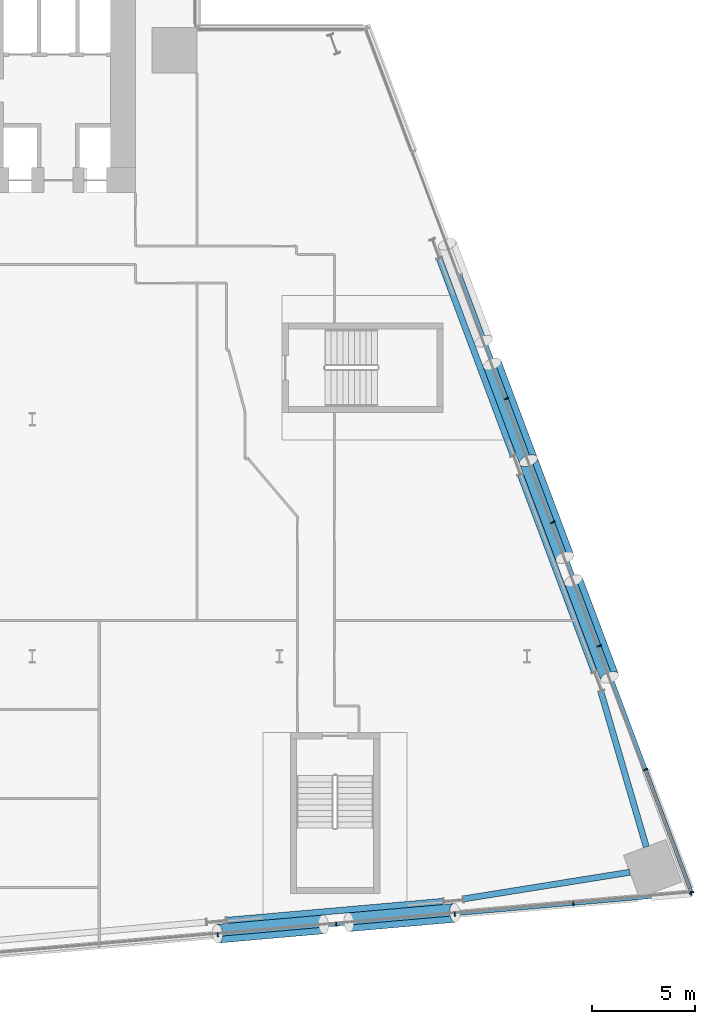
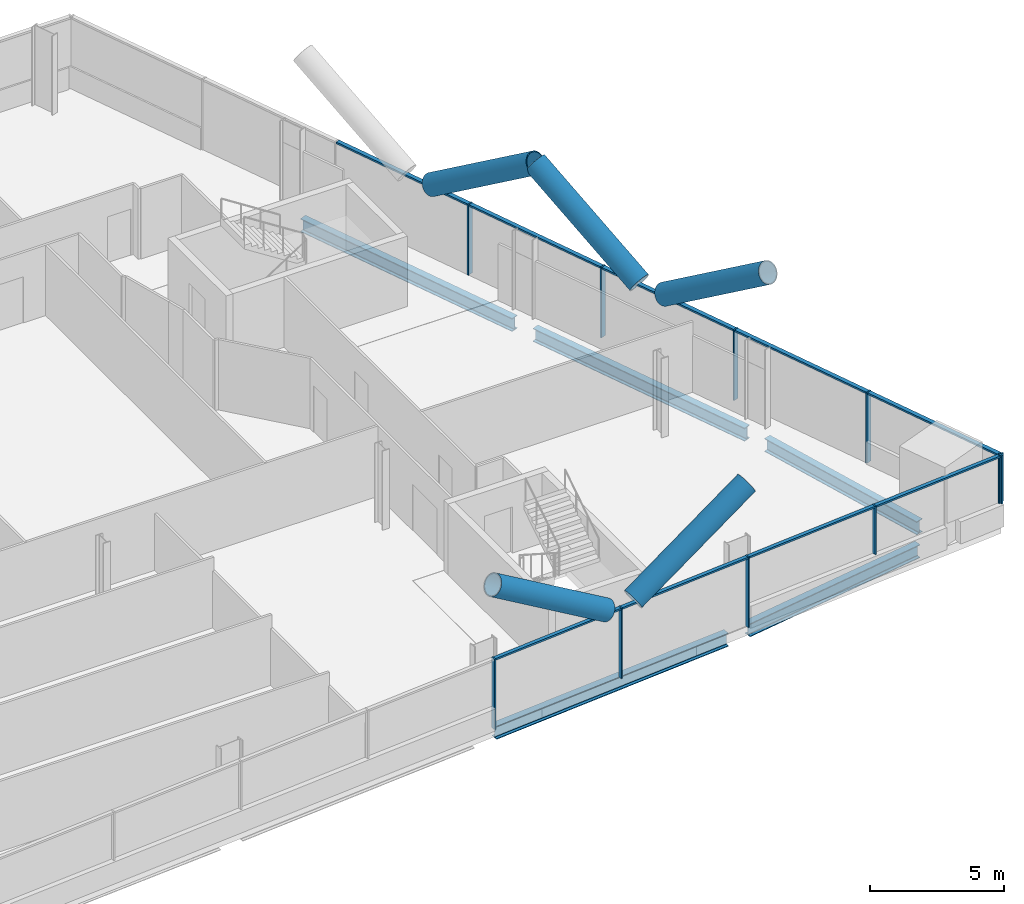
# One storey, part 9 of 27: 24 members, 5 beams, 2 elements without a shape of their own.
"""IFC4 building model written with IfcOpenShell, lengths in metres."""

from ifc_helpers import new_model, si_unit, direction, frame, origin, origin_2d, place, context, subcontext, project, spatial, rectangle, hollow_circle, i_section, extrude, material, material_profile, profile_set, type_object, element, aggregate, save


model = new_model("IFC4")

# Units and contexts
model_context = context("Model", 3, precision=1e-05, world=origin(), true_north=direction((0.0, 1.0)))
body_context = subcontext(model_context, "Body", "Model", "MODEL_VIEW")
ifc_project = project(units=[si_unit("LENGTHUNIT", "METRE"), si_unit("AREAUNIT", "SQUARE_METRE"), si_unit("VOLUMEUNIT", "CUBIC_METRE"), si_unit("PLANEANGLEUNIT", "RADIAN"), si_unit("MASSUNIT", "GRAM", prefix="KILO")], contexts=[model_context])

# Site, building, storey
site_placement = place(None, origin())
site = spatial("IfcSite", under=ifc_project, at=site_placement, CompositionType="ELEMENT")
building_placement = place(site_placement, origin())
building = spatial("IfcBuilding", under=site, at=building_placement, Name="Wharfspan Tower", CompositionType="ELEMENT")
storey_placement = place(building_placement, frame((0.0, 0.0, 77.5)))
storey = spatial("IfcBuildingStorey", under=building, at=storey_placement, Name="L16", CompositionType="ELEMENT", Elevation=77.5)

# Beams
ifc_material_1 = material(Name="Steel S355J2", Category="steel")
ifc_material_profile_1 = material_profile(ifc_material_1, i_section(OverallWidth=0.300049, OverallDepth=0.600098, WebThickness=0.015381, FlangeThickness=0.030029, FilletRadius=0.0271, at=origin_2d()))
ifc_profile_set_1 = profile_set([ifc_material_profile_1], Name="Steel S355J2")
beam_type = type_object("IfcBeamType", Name="Edge beam HEB 600", PredefinedType="SPANDREL", material=ifc_profile_set_1)
beam_1_placement = place(storey_placement, frame((69.440674, -1.311279, -0.699951), z_axis=(0.996193, 0.087178, 0.0), x_axis=(-0.087178, 0.996193, 0.0)))
element("IfcBeam", 1, at=beam_1_placement, inside=storey, type_object=beam_type, Name="Edge beam S2 L16 PS2.2 to PS2.3", PredefinedType="SPANDREL", context=body_context, shape_type="SweptSolid", body=[
    extrude(i_section(OverallWidth=0.300049, OverallDepth=0.600098, WebThickness=0.015381, FlangeThickness=0.030029, FilletRadius=0.0271, at=origin_2d()), origin(), (0.0, 0.0, 1.0), 10.543701),
])
beam_2_placement = place(storey_placement, frame((80.9375, -0.269287, -0.699951), z_axis=(0.987379, 0.158378, 0.0), x_axis=(-0.158378, 0.987379, 0.0)))
element("IfcBeam", 2, at=beam_2_placement, inside=storey, type_object=beam_type, Name="Edge beam S2 L16 PS2.3 to MC4", PredefinedType="SPANDREL", context=body_context, shape_type="SweptSolid", body=[
    extrude(i_section(OverallWidth=0.300049, OverallDepth=0.600098, WebThickness=0.015381, FlangeThickness=0.030029, FilletRadius=0.0271, at=origin_2d()), origin(), (0.0, 0.0, 1.0), 8.157715),
])
beam_3_placement = place(storey_placement, frame((89.788086, 2.254639, -0.699951), z_axis=(-0.280694, 0.959797, 0.0), x_axis=(-0.959797, -0.280694, 0.0)))
element("IfcBeam", 3, at=beam_3_placement, inside=storey, type_object=beam_type, Name="Edge beam E L16 MC4 to PE.1", PredefinedType="SPANDREL", context=body_context, shape_type="SweptSolid", body=[
    extrude(i_section(OverallWidth=0.300049, OverallDepth=0.600098, WebThickness=0.015381, FlangeThickness=0.030029, FilletRadius=0.0271, at=origin_2d()), origin(), (0.0, 0.0, 1.0), 7.8479),
])
for number, where, z_axis, x_axis, name in (
    (4, (87.269043, 10.736328, -0.699951), (-0.351126, 0.936328, 0.0), (-0.936328, -0.351126, 0.0), "Edge beam E L16 PE.1 to PE.2"),
    (5, (83.331543, 21.236328, -0.699951), (-0.351126, 0.936328, 0.0), (-0.936328, -0.351126, 0.0), "Edge beam E L16 PE.2 to PE.3"),
):
    element("IfcBeam", number, at=place(storey_placement, frame(where, z_axis=z_axis, x_axis=x_axis)), inside=storey, type_object=beam_type, Name=name, PredefinedType="SPANDREL", context=body_context, shape_type="SweptSolid", body=[
        extrude(i_section(OverallWidth=0.300049, OverallDepth=0.600098, WebThickness=0.015381, FlangeThickness=0.030029, FilletRadius=0.0271, at=origin_2d()), origin(), (0.0, 0.0, 1.0), 10.214111),
    ])

# Curtain wall, members
ifc_material_2 = material(Name="Aluminium 6063-T6", Category="aluminium")
curtain_wall_type_1 = type_object("IfcCurtainWallType", Name="CURTAIN WALL FACETED FRONT", PredefinedType="NOTDEFINED", material=ifc_material_2)
curtain_wall_1_placement = place(storey_placement, origin())
curtain_wall_1 = element("IfcCurtainWall", 6, at=curtain_wall_1_placement, inside=storey, type_object=curtain_wall_type_1, Name="Curtain wall S2", PredefinedType="NOTDEFINED")
ifc_material_profile_2 = material_profile(ifc_material_2, rectangle(XDim=0.199951, YDim=0.060059, at=origin_2d()))
ifc_profile_set_2 = profile_set([ifc_material_profile_2], Name="Aluminium 6063-T6")
member_type_1 = type_object("IfcMemberType", Name="MULLION FACETED FRONT 60x200", PredefinedType="MULLION", material=ifc_profile_set_2)
member_1_placement = place(storey_placement, frame((69.0, -2.012207, 0.0), z_axis=(0.0, 0.0, 1.0), x_axis=(-0.087156, 0.996197, 0.0)))
member_1 = element("IfcMember", 7, at=member_1_placement, type_object=member_type_1, Name="Curtain wall S2 mullion 5", PredefinedType="MULLION", context=body_context, shape_type="SweptSolid", body=[
    extrude(rectangle(XDim=0.199951, YDim=0.060059, at=origin_2d()), origin(), (0.0, 0.0, 1.0), 3.199951),
])
member_2_placement = place(storey_placement, frame((74.75, -1.509277, 0.0), z_axis=(0.0, 0.0, 1.0), x_axis=(-0.087156, 0.996197, 0.0)))
member_2 = element("IfcMember", 8, at=member_2_placement, type_object=member_type_1, Name="Curtain wall S2 mullion 6", PredefinedType="MULLION", context=body_context, shape_type="SweptSolid", body=[
    extrude(rectangle(XDim=0.199951, YDim=0.060059, at=origin_2d()), origin(), (0.0, 0.0, 1.0), 3.199951),
])
member_3_placement = place(storey_placement, frame((80.5, -1.006104, 0.0), z_axis=(0.0, 0.0, 1.0), x_axis=(-0.087156, 0.996197, 0.0)))
member_3 = element("IfcMember", 9, at=member_3_placement, type_object=member_type_1, Name="Curtain wall S2 mullion 7", PredefinedType="MULLION", context=body_context, shape_type="SweptSolid", body=[
    extrude(rectangle(XDim=0.199951, YDim=0.060059, at=origin_2d()), origin(), (0.0, 0.0, 1.0), 3.199951),
])
member_4_placement = place(storey_placement, frame((86.25, -0.503174, 1.0), z_axis=(0.0, 0.0, 1.0), x_axis=(-0.087156, 0.996197, 0.0)))
member_4 = element("IfcMember", 10, at=member_4_placement, type_object=member_type_1, Name="Curtain wall S2 mullion 8", PredefinedType="MULLION", context=body_context, shape_type="SweptSolid", body=[
    extrude(rectangle(XDim=0.199951, YDim=0.060059, at=origin_2d()), origin(), (0.0, 0.0, 1.0), 2.199951),
])
member_5_placement = place(storey_placement, frame((91.970215, -0.002686, 1.0), z_axis=(0.0, 0.0, 1.0), x_axis=(-0.087156, 0.996197, 0.0)))
member_5 = element("IfcMember", 11, at=member_5_placement, type_object=member_type_1, Name="Curtain wall S2 mullion 9", PredefinedType="MULLION", context=body_context, shape_type="SweptSolid", body=[
    extrude(rectangle(XDim=0.199951, YDim=0.060059, at=origin_2d()), origin(), (0.0, 0.0, 1.0), 2.199951),
])

curtain_wall_type_2 = type_object("IfcCurtainWallType", Name="CURTAIN WALL PROW AND END", PredefinedType="NOTDEFINED", material=ifc_material_2)
curtain_wall_2_placement = place(storey_placement, origin())
curtain_wall_2 = element("IfcCurtainWall", 12, at=curtain_wall_2_placement, inside=storey, type_object=curtain_wall_type_2, Name="Curtain wall E", PredefinedType="NOTDEFINED")
ifc_material_profile_3 = material_profile(ifc_material_2, rectangle(XDim=0.23999, YDim=0.060059, at=origin_2d()))
ifc_profile_set_3 = profile_set([ifc_material_profile_3], Name="Aluminium 6063-T6")
member_type_2 = type_object("IfcMemberType", Name="MULLION PROW AND END 60x240", PredefinedType="MULLION", material=ifc_profile_set_3)
member_6_placement = place(storey_placement, frame((91.989502, 0.028076, 1.0), z_axis=(0.0, 0.0, 1.0), x_axis=(-0.936328, -0.351123, 0.0)))
member_6 = element("IfcMember", 13, at=member_6_placement, type_object=member_type_2, Name="Curtain wall E mullion 1", PredefinedType="MULLION", context=body_context, shape_type="SweptSolid", body=[
    extrude(rectangle(XDim=0.23999, YDim=0.060059, at=origin_2d()), origin(), (0.0, 0.0, 1.0), 2.199951),
])
member_7_placement = place(storey_placement, frame((89.75, 6.0, 0.0), z_axis=(0.0, 0.0, 1.0), x_axis=(-0.936328, -0.351123, 0.0)))
member_7 = element("IfcMember", 14, at=member_7_placement, type_object=member_type_2, Name="Curtain wall E mullion 2", PredefinedType="MULLION", context=body_context, shape_type="SweptSolid", body=[
    extrude(rectangle(XDim=0.23999, YDim=0.060059, at=origin_2d()), origin(), (0.0, 0.0, 1.0), 3.199951),
])
member_8_placement = place(storey_placement, frame((87.5, 12.0, 0.0), z_axis=(0.0, 0.0, 1.0), x_axis=(-0.936328, -0.351123, 0.0)))
member_8 = element("IfcMember", 15, at=member_8_placement, type_object=member_type_2, Name="Curtain wall E mullion 3", PredefinedType="MULLION", context=body_context, shape_type="SweptSolid", body=[
    extrude(rectangle(XDim=0.23999, YDim=0.060059, at=origin_2d()), origin(), (0.0, 0.0, 1.0), 3.199951),
])
member_9_placement = place(storey_placement, frame((85.25, 18.0, 0.0), z_axis=(0.0, 0.0, 1.0), x_axis=(-0.936328, -0.351123, 0.0)))
member_9 = element("IfcMember", 16, at=member_9_placement, type_object=member_type_2, Name="Curtain wall E mullion 4", PredefinedType="MULLION", context=body_context, shape_type="SweptSolid", body=[
    extrude(rectangle(XDim=0.23999, YDim=0.060059, at=origin_2d()), origin(), (0.0, 0.0, 1.0), 3.199951),
])
member_10_placement = place(storey_placement, frame((83.0, 24.0, 0.0), z_axis=(0.0, 0.0, 1.0), x_axis=(-0.936328, -0.351123, 0.0)))
member_10 = element("IfcMember", 17, at=member_10_placement, type_object=member_type_2, Name="Curtain wall E mullion 5", PredefinedType="MULLION", context=body_context, shape_type="SweptSolid", body=[
    extrude(rectangle(XDim=0.23999, YDim=0.060059, at=origin_2d()), origin(), (0.0, 0.0, 1.0), 3.199951),
])

# Members
ifc_material_3 = material(Name="Steel S460NH", Category="steel")
ifc_material_profile_4 = material_profile(ifc_material_3, hollow_circle(Radius=0.457031, WallThickness=0.040039, at=origin_2d()))
ifc_profile_set_4 = profile_set([ifc_material_profile_4], Name="Steel S460NH")
member_type_3 = type_object("IfcMemberType", Name="Mega brace CHS 914x40", PredefinedType="BRACE", material=ifc_profile_set_4)
member_11_placement = place(storey_placement, frame((75.361328, -1.400391, 3.285645), z_axis=(0.845253, 0.073921, 0.529228), x_axis=(-0.08712, 0.996199, -3e-06)))
element("IfcMember", 18, at=member_11_placement, inside=storey, type_object=member_type_3, Name="Mega brace S2 L16 part 2", PredefinedType="BRACE", context=body_context, shape_type="SweptSolid", body=[
    extrude(hollow_circle(Radius=0.457031, WallThickness=0.040039, at=origin_2d()), origin(), (0.0, 0.0, 1.0), 6.07373),
])
member_12_placement = place(storey_placement, frame((74.12915, -1.508301, 3.285645), z_axis=(-0.845262, -0.073959, 0.529208), x_axis=(0.087167, -0.996192, 3e-06)))
element("IfcMember", 19, at=member_12_placement, inside=storey, type_object=member_type_3, Name="Mega brace S2 L16 part 4", PredefinedType="BRACE", context=body_context, shape_type="SweptSolid", body=[
    extrude(hollow_circle(Radius=0.457031, WallThickness=0.040039, at=origin_2d()), origin(), (0.0, 0.0, 1.0), 6.073975),
])
for number, where, z_axis, x_axis, name in (
    (20, (85.833008, 16.288574, 3.282471), (-0.295459, 0.787904, 0.540288), (-0.936328, -0.351115, -3e-06), "Mega brace E5 L16 part 2"),
    (21, (86.251465, 15.172852, 3.282471), (0.295459, -0.787904, 0.540288), (0.936328, 0.351115, -3e-06), "Mega brace E5 L16 part 4"),
    (22, (82.313965, 25.672852, 3.282471), (0.295459, -0.787904, 0.540288), (0.936328, 0.351115, -3e-06), "Mega brace E6 L16 part 4"),
):
    element("IfcMember", number, at=place(storey_placement, frame(where, z_axis=z_axis, x_axis=x_axis)), inside=storey, type_object=member_type_3, Name=name, PredefinedType="BRACE", context=body_context, shape_type="SweptSolid", body=[
        extrude(hollow_circle(Radius=0.457031, WallThickness=0.040039, at=origin_2d()), origin(), (0.0, 0.0, 1.0), 5.955322),
    ])

# Member
ifc_material_profile_5 = material_profile(ifc_material_2, rectangle(XDim=0.159912, YDim=0.080078, at=origin_2d()))
ifc_profile_set_5 = profile_set([ifc_material_profile_5], Name="Aluminium 6063-T6")
member_type_4 = type_object("IfcMemberType", Name="TRANSOM FACETED FRONT 80x160", PredefinedType="USERDEFINED", material=ifc_profile_set_5)
member_13_placement = place(storey_placement, frame((69.029785, -2.009521, 3.159912), z_axis=(0.996195, 0.087148, 0.0), x_axis=(-0.087148, 0.996195, 0.0)))
member_13 = element("IfcMember", 23, at=member_13_placement, type_object=member_type_4, Name="Curtain wall S2 transom 5", ObjectType="TRANSOM", PredefinedType="USERDEFINED", context=body_context, shape_type="SweptSolid", body=[
    extrude(rectangle(XDim=0.159912, YDim=0.080078, at=origin_2d()), origin(), (0.0, 0.0, 1.0), 5.712158),
])

member_14_placement = place(storey_placement, frame((74.779785, -1.506592, 3.159912), z_axis=(0.996195, 0.087148, 0.0), x_axis=(-0.087148, 0.996195, 0.0)))
member_14 = element("IfcMember", 24, at=member_14_placement, type_object=member_type_4, Name="Curtain wall S2 transom 6", ObjectType="TRANSOM", PredefinedType="USERDEFINED", context=body_context, shape_type="SweptSolid", body=[
    extrude(rectangle(XDim=0.159912, YDim=0.080078, at=origin_2d()), origin(), (0.0, 0.0, 1.0), 5.712158),
])

member_15_placement = place(storey_placement, frame((80.529785, -1.003418, 3.159912), z_axis=(0.996195, 0.087148, 0.0), x_axis=(-0.087148, 0.996195, 0.0)))
member_15 = element("IfcMember", 25, at=member_15_placement, type_object=member_type_4, Name="Curtain wall S2 transom 7", ObjectType="TRANSOM", PredefinedType="USERDEFINED", context=body_context, shape_type="SweptSolid", body=[
    extrude(rectangle(XDim=0.159912, YDim=0.080078, at=origin_2d()), origin(), (0.0, 0.0, 1.0), 5.712158),
])

member_16_placement = place(storey_placement, frame((86.279785, -0.500488, 3.159912), z_axis=(0.996193, 0.08718, 0.0), x_axis=(-0.08718, 0.996193, 0.0)))
member_16 = element("IfcMember", 26, at=member_16_placement, type_object=member_type_4, Name="Curtain wall S2 transom 8", ObjectType="TRANSOM", PredefinedType="USERDEFINED", context=body_context, shape_type="SweptSolid", body=[
    extrude(rectangle(XDim=0.159912, YDim=0.080078, at=origin_2d()), origin(), (0.0, 0.0, 1.0), 5.682129),
])

aggregate(curtain_wall_1, [member_1, member_2, member_3, member_4, member_5, member_13, member_14, member_15, member_16])

ifc_material_profile_6 = material_profile(ifc_material_2, rectangle(XDim=0.179932, YDim=0.080078, at=origin_2d()))
ifc_profile_set_6 = profile_set([ifc_material_profile_6], Name="Aluminium 6063-T6")
member_type_5 = type_object("IfcMemberType", Name="TRANSOM PROW AND END 80x180", PredefinedType="USERDEFINED", material=ifc_profile_set_6)
member_17_placement = place(storey_placement, frame((91.979004, 0.056152, 3.159912), z_axis=(-0.351136, 0.936324, 0.0), x_axis=(-0.936324, -0.351136, 0.0)))
member_17 = element("IfcMember", 27, at=member_17_placement, type_object=member_type_5, Name="Curtain wall E transom 1", ObjectType="TRANSOM", PredefinedType="USERDEFINED", context=body_context, shape_type="SweptSolid", body=[
    extrude(rectangle(XDim=0.179932, YDim=0.080078, at=origin_2d()), origin(), (0.0, 0.0, 1.0), 6.318115),
])

member_18_placement = place(storey_placement, frame((89.739502, 6.028076, 3.159912), z_axis=(-0.351132, 0.936326, 0.0), x_axis=(-0.936326, -0.351132, 0.0)))
member_18 = element("IfcMember", 28, at=member_18_placement, type_object=member_type_5, Name="Curtain wall E transom 2", ObjectType="TRANSOM", PredefinedType="USERDEFINED", context=body_context, shape_type="SweptSolid", body=[
    extrude(rectangle(XDim=0.179932, YDim=0.080078, at=origin_2d()), origin(), (0.0, 0.0, 1.0), 6.348145),
])

member_19_placement = place(storey_placement, frame((87.489502, 12.028076, 3.159912), z_axis=(-0.351132, 0.936326, 0.0), x_axis=(-0.936326, -0.351132, 0.0)))
member_19 = element("IfcMember", 29, at=member_19_placement, type_object=member_type_5, Name="Curtain wall E transom 3", ObjectType="TRANSOM", PredefinedType="USERDEFINED", context=body_context, shape_type="SweptSolid", body=[
    extrude(rectangle(XDim=0.179932, YDim=0.080078, at=origin_2d()), origin(), (0.0, 0.0, 1.0), 6.348145),
])

member_20_placement = place(storey_placement, frame((85.239502, 18.028076, 3.159912), z_axis=(-0.351132, 0.936326, 0.0), x_axis=(-0.936326, -0.351132, 0.0)))
member_20 = element("IfcMember", 30, at=member_20_placement, type_object=member_type_5, Name="Curtain wall E transom 4", ObjectType="TRANSOM", PredefinedType="USERDEFINED", context=body_context, shape_type="SweptSolid", body=[
    extrude(rectangle(XDim=0.179932, YDim=0.080078, at=origin_2d()), origin(), (0.0, 0.0, 1.0), 6.348145),
])

member_21_placement = place(storey_placement, frame((82.989502, 24.028076, 3.159912), z_axis=(-0.351132, 0.936326, 0.0), x_axis=(-0.936326, -0.351132, 0.0)))
member_21 = element("IfcMember", 31, at=member_21_placement, type_object=member_type_5, Name="Curtain wall E transom 5", ObjectType="TRANSOM", PredefinedType="USERDEFINED", context=body_context, shape_type="SweptSolid", body=[
    extrude(rectangle(XDim=0.179932, YDim=0.080078, at=origin_2d()), origin(), (0.0, 0.0, 1.0), 6.348145),
])

aggregate(curtain_wall_2, [member_6, member_7, member_8, member_9, member_10, member_17, member_18, member_19, member_20, member_21])

save(model, "model.ifc")
